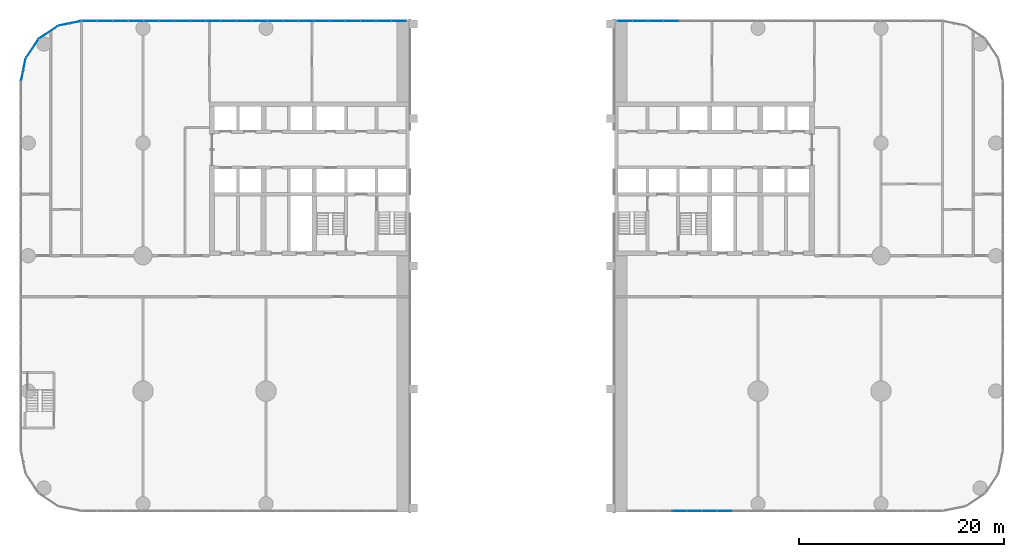
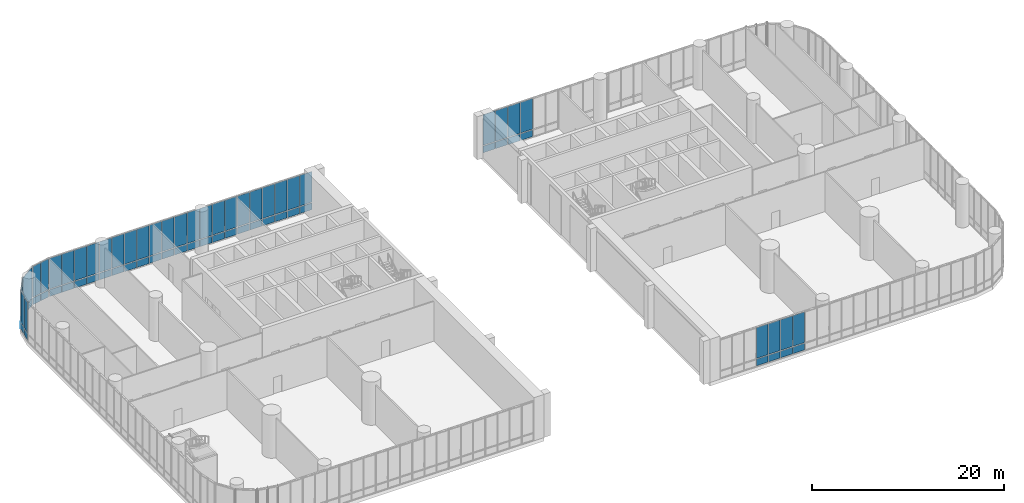
# One storey, part 18 of 28: 70 plates, 7 elements without a shape of their own.
"""IFC4 building model written with IfcOpenShell, lengths in metres."""

from ifc_helpers import new_model, si_unit, direction, frame, origin, origin_2d, place, context, subcontext, project, spatial, rectangle, extrude, material, layer, layer_set, type_object, element, aggregate, save


model = new_model("IFC4")

# Units and contexts
model_context = context("Model", 3, precision=1e-05, world=origin(), true_north=direction((0.0, 1.0)))
body_context = subcontext(model_context, "Body", "Model", "MODEL_VIEW")
ifc_project = project(units=[si_unit("LENGTHUNIT", "METRE"), si_unit("AREAUNIT", "SQUARE_METRE"), si_unit("VOLUMEUNIT", "CUBIC_METRE"), si_unit("PLANEANGLEUNIT", "RADIAN"), si_unit("MASSUNIT", "GRAM", prefix="KILO")], contexts=[model_context])

# Site, building, storey
site_placement = place(None, origin())
site = spatial("IfcSite", under=ifc_project, at=site_placement, CompositionType="ELEMENT")
building_placement = place(site_placement, origin())
building = spatial("IfcBuilding", under=site, at=building_placement, Name="Torana Hotel and Residences", CompositionType="ELEMENT")
storey_placement = place(building_placement, frame((0.0, 0.0, 7.0)))
storey = spatial("IfcBuildingStorey", under=building, at=storey_placement, Name="L01", CompositionType="ELEMENT", Elevation=7.0)

# Curtain wall, plates
ifc_material_1 = material(Name="Dark anodised aluminium", Category="aluminium")
ifc_layer_1 = layer(ifc_material_1, 0.14990234375)
ifc_layer_set_1 = layer_set([ifc_layer_1], Name="CW5 PODIUM UPPER UNITISED CURTAIN WALL")
curtain_wall_type = type_object("IfcCurtainWallType", Name="CW5 PODIUM UPPER UNITISED CURTAIN WALL", PredefinedType="NOTDEFINED", material=ifc_layer_set_1)
curtain_wall_1_placement = place(storey_placement, origin())
curtain_wall_1 = element("IfcCurtainWall", 1, at=curtain_wall_1_placement, inside=storey, type_object=curtain_wall_type, Name="Curtain wall CW5 L01 e0.2", PredefinedType="NOTDEFINED")
ifc_material_2 = material(Name="Glass clear low-iron laminated double glazed unit", Category="glass")
ifc_layer_2 = layer(ifc_material_2, 0.035888671875)
ifc_layer_set_2 = layer_set([ifc_layer_2], Name="CW5 DARK GLASS PANEL 36")
plate_type = type_object("IfcPlateType", Name="CW5 DARK GLASS PANEL 36", PredefinedType="CURTAIN_PANEL", material=ifc_layer_set_2)
plate_1_placement = place(storey_placement, frame((-11.020263671875, 7.89990234375, 0.099853515625), z_axis=(0.0, 0.0, 1.0), x_axis=(-1.0, 0.0, 0.0)))
plate_1 = element("IfcPlate", 2, at=plate_1_placement, type_object=plate_type, Name="CW5 panel 1.1", PredefinedType="CURTAIN_PANEL", context=body_context, shape_type="SweptSolid", body=[
    extrude(rectangle(XDim=1.420654296875, YDim=0.035888671875, at=origin_2d()), origin(), (0.0, 0.0, 1.0), 0.85009765625),
])
plate_2_placement = place(storey_placement, frame((-11.020263671875, 7.89990234375, 1.050048828125), z_axis=(0.0, 0.0, 1.0), x_axis=(-1.0, 0.0, 0.0)))
plate_2 = element("IfcPlate", 3, at=plate_2_placement, type_object=plate_type, Name="CW5 panel 1.2", PredefinedType="CURTAIN_PANEL", context=body_context, shape_type="SweptSolid", body=[
    extrude(rectangle(XDim=1.420654296875, YDim=0.035888671875, at=origin_2d()), origin(), (0.0, 0.0, 1.0), 3.89990234375),
])
plate_3_placement = place(storey_placement, frame((-12.51611328125, 7.89990234375, 0.099853515625), z_axis=(0.0, 0.0, 1.0), x_axis=(-1.0, 0.0, 0.0)))
plate_3 = element("IfcPlate", 4, at=plate_3_placement, type_object=plate_type, Name="CW5 panel 2.1", PredefinedType="CURTAIN_PANEL", context=body_context, shape_type="SweptSolid", body=[
    extrude(rectangle(XDim=1.45068359375, YDim=0.035888671875, at=origin_2d()), origin(), (0.0, 0.0, 1.0), 0.85009765625),
])
plate_4_placement = place(storey_placement, frame((-12.51611328125, 7.89990234375, 1.050048828125), z_axis=(0.0, 0.0, 1.0), x_axis=(-1.0, 0.0, 0.0)))
plate_4 = element("IfcPlate", 5, at=plate_4_placement, type_object=plate_type, Name="CW5 panel 2.2", PredefinedType="CURTAIN_PANEL", context=body_context, shape_type="SweptSolid", body=[
    extrude(rectangle(XDim=1.45068359375, YDim=0.035888671875, at=origin_2d()), origin(), (0.0, 0.0, 1.0), 3.89990234375),
])
plate_5_placement = place(storey_placement, frame((-14.02685546875, 7.89990234375, 0.099853515625), z_axis=(0.0, 0.0, 1.0), x_axis=(-1.0, 0.0, 0.0)))
plate_5 = element("IfcPlate", 6, at=plate_5_placement, type_object=plate_type, Name="CW5 panel 3.1", PredefinedType="CURTAIN_PANEL", context=body_context, shape_type="SweptSolid", body=[
    extrude(rectangle(XDim=1.45068359375, YDim=0.035888671875, at=origin_2d()), origin(), (0.0, 0.0, 1.0), 0.85009765625),
])
plate_6_placement = place(storey_placement, frame((-14.02685546875, 7.89990234375, 1.050048828125), z_axis=(0.0, 0.0, 1.0), x_axis=(-1.0, 0.0, 0.0)))
plate_6 = element("IfcPlate", 7, at=plate_6_placement, type_object=plate_type, Name="CW5 panel 3.2", PredefinedType="CURTAIN_PANEL", context=body_context, shape_type="SweptSolid", body=[
    extrude(rectangle(XDim=1.45068359375, YDim=0.035888671875, at=origin_2d()), origin(), (0.0, 0.0, 1.0), 3.89990234375),
])
plate_7_placement = place(storey_placement, frame((-15.53759765625, 7.89990234375, 0.099853515625), z_axis=(0.0, 0.0, 1.0), x_axis=(-1.0, 0.0, 0.0)))
plate_7 = element("IfcPlate", 8, at=plate_7_placement, type_object=plate_type, Name="CW5 panel 4.1", PredefinedType="CURTAIN_PANEL", context=body_context, shape_type="SweptSolid", body=[
    extrude(rectangle(XDim=1.45068359375, YDim=0.035888671875, at=origin_2d()), origin(), (0.0, 0.0, 1.0), 0.85009765625),
])
plate_8_placement = place(storey_placement, frame((-15.53759765625, 7.89990234375, 1.050048828125), z_axis=(0.0, 0.0, 1.0), x_axis=(-1.0, 0.0, 0.0)))
plate_8 = element("IfcPlate", 9, at=plate_8_placement, type_object=plate_type, Name="CW5 panel 4.2", PredefinedType="CURTAIN_PANEL", context=body_context, shape_type="SweptSolid", body=[
    extrude(rectangle(XDim=1.45068359375, YDim=0.035888671875, at=origin_2d()), origin(), (0.0, 0.0, 1.0), 3.89990234375),
])
plate_9_placement = place(storey_placement, frame((-17.04833984375, 7.89990234375, 0.099853515625), z_axis=(0.0, 0.0, 1.0), x_axis=(-1.0, 0.0, 0.0)))
plate_9 = element("IfcPlate", 10, at=plate_9_placement, type_object=plate_type, Name="CW5 panel 5.1", PredefinedType="CURTAIN_PANEL", context=body_context, shape_type="SweptSolid", body=[
    extrude(rectangle(XDim=1.45068359375, YDim=0.035888671875, at=origin_2d()), origin(), (0.0, 0.0, 1.0), 0.85009765625),
])
plate_10_placement = place(storey_placement, frame((-17.04833984375, 7.89990234375, 1.050048828125), z_axis=(0.0, 0.0, 1.0), x_axis=(-1.0, 0.0, 0.0)))
plate_10 = element("IfcPlate", 11, at=plate_10_placement, type_object=plate_type, Name="CW5 panel 5.2", PredefinedType="CURTAIN_PANEL", context=body_context, shape_type="SweptSolid", body=[
    extrude(rectangle(XDim=1.45068359375, YDim=0.035888671875, at=origin_2d()), origin(), (0.0, 0.0, 1.0), 3.89990234375),
])
plate_11_placement = place(storey_placement, frame((-18.55908203125, 7.89990234375, 0.099853515625), z_axis=(0.0, 0.0, 1.0), x_axis=(-1.0, 0.0, 0.0)))
plate_11 = element("IfcPlate", 12, at=plate_11_placement, type_object=plate_type, Name="CW5 panel 6.1", PredefinedType="CURTAIN_PANEL", context=body_context, shape_type="SweptSolid", body=[
    extrude(rectangle(XDim=1.45068359375, YDim=0.035888671875, at=origin_2d()), origin(), (0.0, 0.0, 1.0), 0.85009765625),
])
plate_12_placement = place(storey_placement, frame((-18.55908203125, 7.89990234375, 1.050048828125), z_axis=(0.0, 0.0, 1.0), x_axis=(-1.0, 0.0, 0.0)))
plate_12 = element("IfcPlate", 13, at=plate_12_placement, type_object=plate_type, Name="CW5 panel 6.2", PredefinedType="CURTAIN_PANEL", context=body_context, shape_type="SweptSolid", body=[
    extrude(rectangle(XDim=1.45068359375, YDim=0.035888671875, at=origin_2d()), origin(), (0.0, 0.0, 1.0), 3.89990234375),
])
plate_13_placement = place(storey_placement, frame((-20.06982421875, 7.89990234375, 0.099853515625), z_axis=(0.0, 0.0, 1.0), x_axis=(-1.0, 0.0, 0.0)))
plate_13 = element("IfcPlate", 14, at=plate_13_placement, type_object=plate_type, Name="CW5 panel 7.1", PredefinedType="CURTAIN_PANEL", context=body_context, shape_type="SweptSolid", body=[
    extrude(rectangle(XDim=1.45068359375, YDim=0.035888671875, at=origin_2d()), origin(), (0.0, 0.0, 1.0), 0.85009765625),
])
plate_14_placement = place(storey_placement, frame((-20.06982421875, 7.89990234375, 1.050048828125), z_axis=(0.0, 0.0, 1.0), x_axis=(-1.0, 0.0, 0.0)))
plate_14 = element("IfcPlate", 15, at=plate_14_placement, type_object=plate_type, Name="CW5 panel 7.2", PredefinedType="CURTAIN_PANEL", context=body_context, shape_type="SweptSolid", body=[
    extrude(rectangle(XDim=1.45068359375, YDim=0.035888671875, at=origin_2d()), origin(), (0.0, 0.0, 1.0), 3.89990234375),
])
plate_15_placement = place(storey_placement, frame((-21.58056640625, 7.89990234375, 0.099853515625), z_axis=(0.0, 0.0, 1.0), x_axis=(-1.0, 0.0, 0.0)))
plate_15 = element("IfcPlate", 16, at=plate_15_placement, type_object=plate_type, Name="CW5 panel 8.1", PredefinedType="CURTAIN_PANEL", context=body_context, shape_type="SweptSolid", body=[
    extrude(rectangle(XDim=1.45068359375, YDim=0.035888671875, at=origin_2d()), origin(), (0.0, 0.0, 1.0), 0.85009765625),
])
plate_16_placement = place(storey_placement, frame((-21.58056640625, 7.89990234375, 1.050048828125), z_axis=(0.0, 0.0, 1.0), x_axis=(-1.0, 0.0, 0.0)))
plate_16 = element("IfcPlate", 17, at=plate_16_placement, type_object=plate_type, Name="CW5 panel 8.2", PredefinedType="CURTAIN_PANEL", context=body_context, shape_type="SweptSolid", body=[
    extrude(rectangle(XDim=1.45068359375, YDim=0.035888671875, at=origin_2d()), origin(), (0.0, 0.0, 1.0), 3.89990234375),
])
plate_17_placement = place(storey_placement, frame((-23.09130859375, 7.89990234375, 0.099853515625), z_axis=(0.0, 0.0, 1.0), x_axis=(-1.0, 0.0, 0.0)))
plate_17 = element("IfcPlate", 18, at=plate_17_placement, type_object=plate_type, Name="CW5 panel 9.1", PredefinedType="CURTAIN_PANEL", context=body_context, shape_type="SweptSolid", body=[
    extrude(rectangle(XDim=1.45068359375, YDim=0.035888671875, at=origin_2d()), origin(), (0.0, 0.0, 1.0), 0.85009765625),
])
plate_18_placement = place(storey_placement, frame((-23.09130859375, 7.89990234375, 1.050048828125), z_axis=(0.0, 0.0, 1.0), x_axis=(-1.0, 0.0, 0.0)))
plate_18 = element("IfcPlate", 19, at=plate_18_placement, type_object=plate_type, Name="CW5 panel 9.2", PredefinedType="CURTAIN_PANEL", context=body_context, shape_type="SweptSolid", body=[
    extrude(rectangle(XDim=1.45068359375, YDim=0.035888671875, at=origin_2d()), origin(), (0.0, 0.0, 1.0), 3.89990234375),
])
plate_19_placement = place(storey_placement, frame((-24.60205078125, 7.89990234375, 0.099853515625), z_axis=(0.0, 0.0, 1.0), x_axis=(-1.0, 0.0, 0.0)))
plate_19 = element("IfcPlate", 20, at=plate_19_placement, type_object=plate_type, Name="CW5 panel 10.1", PredefinedType="CURTAIN_PANEL", context=body_context, shape_type="SweptSolid", body=[
    extrude(rectangle(XDim=1.45068359375, YDim=0.035888671875, at=origin_2d()), origin(), (0.0, 0.0, 1.0), 0.85009765625),
])
plate_20_placement = place(storey_placement, frame((-24.60205078125, 7.89990234375, 1.050048828125), z_axis=(0.0, 0.0, 1.0), x_axis=(-1.0, 0.0, 0.0)))
plate_20 = element("IfcPlate", 21, at=plate_20_placement, type_object=plate_type, Name="CW5 panel 10.2", PredefinedType="CURTAIN_PANEL", context=body_context, shape_type="SweptSolid", body=[
    extrude(rectangle(XDim=1.45068359375, YDim=0.035888671875, at=origin_2d()), origin(), (0.0, 0.0, 1.0), 3.89990234375),
])
plate_21_placement = place(storey_placement, frame((-26.11279296875, 7.89990234375, 0.099853515625), z_axis=(0.0, 0.0, 1.0), x_axis=(-1.0, 0.0, 0.0)))
plate_21 = element("IfcPlate", 22, at=plate_21_placement, type_object=plate_type, Name="CW5 panel 11.1", PredefinedType="CURTAIN_PANEL", context=body_context, shape_type="SweptSolid", body=[
    extrude(rectangle(XDim=1.45068359375, YDim=0.035888671875, at=origin_2d()), origin(), (0.0, 0.0, 1.0), 0.85009765625),
])
plate_22_placement = place(storey_placement, frame((-26.11279296875, 7.89990234375, 1.050048828125), z_axis=(0.0, 0.0, 1.0), x_axis=(-1.0, 0.0, 0.0)))
plate_22 = element("IfcPlate", 23, at=plate_22_placement, type_object=plate_type, Name="CW5 panel 11.2", PredefinedType="CURTAIN_PANEL", context=body_context, shape_type="SweptSolid", body=[
    extrude(rectangle(XDim=1.45068359375, YDim=0.035888671875, at=origin_2d()), origin(), (0.0, 0.0, 1.0), 3.89990234375),
])
plate_23_placement = place(storey_placement, frame((-27.62353515625, 7.89990234375, 0.099853515625), z_axis=(0.0, 0.0, 1.0), x_axis=(-1.0, 0.0, 0.0)))
plate_23 = element("IfcPlate", 24, at=plate_23_placement, type_object=plate_type, Name="CW5 panel 12.1", PredefinedType="CURTAIN_PANEL", context=body_context, shape_type="SweptSolid", body=[
    extrude(rectangle(XDim=1.45068359375, YDim=0.035888671875, at=origin_2d()), origin(), (0.0, 0.0, 1.0), 0.85009765625),
])
plate_24_placement = place(storey_placement, frame((-27.62353515625, 7.89990234375, 1.050048828125), z_axis=(0.0, 0.0, 1.0), x_axis=(-1.0, 0.0, 0.0)))
plate_24 = element("IfcPlate", 25, at=plate_24_placement, type_object=plate_type, Name="CW5 panel 12.2", PredefinedType="CURTAIN_PANEL", context=body_context, shape_type="SweptSolid", body=[
    extrude(rectangle(XDim=1.45068359375, YDim=0.035888671875, at=origin_2d()), origin(), (0.0, 0.0, 1.0), 3.89990234375),
])
plate_25_placement = place(storey_placement, frame((-29.13427734375, 7.89990234375, 0.099853515625), z_axis=(0.0, 0.0, 1.0), x_axis=(-1.0, 0.0, 0.0)))
plate_25 = element("IfcPlate", 26, at=plate_25_placement, type_object=plate_type, Name="CW5 panel 13.1", PredefinedType="CURTAIN_PANEL", context=body_context, shape_type="SweptSolid", body=[
    extrude(rectangle(XDim=1.45068359375, YDim=0.035888671875, at=origin_2d()), origin(), (0.0, 0.0, 1.0), 0.85009765625),
])
plate_26_placement = place(storey_placement, frame((-29.13427734375, 7.89990234375, 1.050048828125), z_axis=(0.0, 0.0, 1.0), x_axis=(-1.0, 0.0, 0.0)))
plate_26 = element("IfcPlate", 27, at=plate_26_placement, type_object=plate_type, Name="CW5 panel 13.2", PredefinedType="CURTAIN_PANEL", context=body_context, shape_type="SweptSolid", body=[
    extrude(rectangle(XDim=1.45068359375, YDim=0.035888671875, at=origin_2d()), origin(), (0.0, 0.0, 1.0), 3.89990234375),
])
plate_27_placement = place(storey_placement, frame((-30.64501953125, 7.89990234375, 0.099853515625), z_axis=(0.0, 0.0, 1.0), x_axis=(-1.0, 0.0, 0.0)))
plate_27 = element("IfcPlate", 28, at=plate_27_placement, type_object=plate_type, Name="CW5 panel 14.1", PredefinedType="CURTAIN_PANEL", context=body_context, shape_type="SweptSolid", body=[
    extrude(rectangle(XDim=1.45068359375, YDim=0.035888671875, at=origin_2d()), origin(), (0.0, 0.0, 1.0), 0.85009765625),
])
plate_28_placement = place(storey_placement, frame((-30.64501953125, 7.89990234375, 1.050048828125), z_axis=(0.0, 0.0, 1.0), x_axis=(-1.0, 0.0, 0.0)))
plate_28 = element("IfcPlate", 29, at=plate_28_placement, type_object=plate_type, Name="CW5 panel 14.2", PredefinedType="CURTAIN_PANEL", context=body_context, shape_type="SweptSolid", body=[
    extrude(rectangle(XDim=1.45068359375, YDim=0.035888671875, at=origin_2d()), origin(), (0.0, 0.0, 1.0), 3.89990234375),
])
plate_29_placement = place(storey_placement, frame((-32.155517578125, 7.89990234375, 0.099853515625), z_axis=(0.0, 0.0, 1.0), x_axis=(-1.0, 0.0, 0.0)))
plate_29 = element("IfcPlate", 30, at=plate_29_placement, type_object=plate_type, Name="CW5 panel 15.1", PredefinedType="CURTAIN_PANEL", context=body_context, shape_type="SweptSolid", body=[
    extrude(rectangle(XDim=1.45068359375, YDim=0.035888671875, at=origin_2d()), origin(), (0.0, 0.0, 1.0), 0.85009765625),
])
plate_30_placement = place(storey_placement, frame((-32.155517578125, 7.89990234375, 1.050048828125), z_axis=(0.0, 0.0, 1.0), x_axis=(-1.0, 0.0, 0.0)))
plate_30 = element("IfcPlate", 31, at=plate_30_placement, type_object=plate_type, Name="CW5 panel 15.2", PredefinedType="CURTAIN_PANEL", context=body_context, shape_type="SweptSolid", body=[
    extrude(rectangle(XDim=1.45068359375, YDim=0.035888671875, at=origin_2d()), origin(), (0.0, 0.0, 1.0), 3.89990234375),
])
plate_31_placement = place(storey_placement, frame((-33.666259765625, 7.89990234375, 0.099853515625), z_axis=(0.0, 0.0, 1.0), x_axis=(-1.0, 0.0, 0.0)))
plate_31 = element("IfcPlate", 32, at=plate_31_placement, type_object=plate_type, Name="CW5 panel 16.1", PredefinedType="CURTAIN_PANEL", context=body_context, shape_type="SweptSolid", body=[
    extrude(rectangle(XDim=1.45068359375, YDim=0.035888671875, at=origin_2d()), origin(), (0.0, 0.0, 1.0), 0.85009765625),
])
plate_32_placement = place(storey_placement, frame((-33.666259765625, 7.89990234375, 1.050048828125), z_axis=(0.0, 0.0, 1.0), x_axis=(-1.0, 0.0, 0.0)))
plate_32 = element("IfcPlate", 33, at=plate_32_placement, type_object=plate_type, Name="CW5 panel 16.2", PredefinedType="CURTAIN_PANEL", context=body_context, shape_type="SweptSolid", body=[
    extrude(rectangle(XDim=1.45068359375, YDim=0.035888671875, at=origin_2d()), origin(), (0.0, 0.0, 1.0), 3.89990234375),
])
plate_33_placement = place(storey_placement, frame((-35.177001953125, 7.89990234375, 0.099853515625), z_axis=(0.0, 0.0, 1.0), x_axis=(-1.0, 0.0, 0.0)))
plate_33 = element("IfcPlate", 34, at=plate_33_placement, type_object=plate_type, Name="CW5 panel 17.1", PredefinedType="CURTAIN_PANEL", context=body_context, shape_type="SweptSolid", body=[
    extrude(rectangle(XDim=1.45068359375, YDim=0.035888671875, at=origin_2d()), origin(), (0.0, 0.0, 1.0), 0.85009765625),
])
plate_34_placement = place(storey_placement, frame((-35.177001953125, 7.89990234375, 1.050048828125), z_axis=(0.0, 0.0, 1.0), x_axis=(-1.0, 0.0, 0.0)))
plate_34 = element("IfcPlate", 35, at=plate_34_placement, type_object=plate_type, Name="CW5 panel 17.2", PredefinedType="CURTAIN_PANEL", context=body_context, shape_type="SweptSolid", body=[
    extrude(rectangle(XDim=1.45068359375, YDim=0.035888671875, at=origin_2d()), origin(), (0.0, 0.0, 1.0), 3.89990234375),
])
plate_35_placement = place(storey_placement, frame((-36.687744140625, 7.89990234375, 0.099853515625), z_axis=(0.0, 0.0, 1.0), x_axis=(-1.0, 0.0, 0.0)))
plate_35 = element("IfcPlate", 36, at=plate_35_placement, type_object=plate_type, Name="CW5 panel 18.1", PredefinedType="CURTAIN_PANEL", context=body_context, shape_type="SweptSolid", body=[
    extrude(rectangle(XDim=1.45068359375, YDim=0.035888671875, at=origin_2d()), origin(), (0.0, 0.0, 1.0), 0.85009765625),
])
plate_36_placement = place(storey_placement, frame((-36.687744140625, 7.89990234375, 1.050048828125), z_axis=(0.0, 0.0, 1.0), x_axis=(-1.0, 0.0, 0.0)))
plate_36 = element("IfcPlate", 37, at=plate_36_placement, type_object=plate_type, Name="CW5 panel 18.2", PredefinedType="CURTAIN_PANEL", context=body_context, shape_type="SweptSolid", body=[
    extrude(rectangle(XDim=1.45068359375, YDim=0.035888671875, at=origin_2d()), origin(), (0.0, 0.0, 1.0), 3.89990234375),
])
plate_37_placement = place(storey_placement, frame((-38.198486328125, 7.89990234375, 0.099853515625), z_axis=(0.0, 0.0, 1.0), x_axis=(-1.0, 0.0, 0.0)))
plate_37 = element("IfcPlate", 38, at=plate_37_placement, type_object=plate_type, Name="CW5 panel 19.1", PredefinedType="CURTAIN_PANEL", context=body_context, shape_type="SweptSolid", body=[
    extrude(rectangle(XDim=1.45068359375, YDim=0.035888671875, at=origin_2d()), origin(), (0.0, 0.0, 1.0), 0.85009765625),
])
plate_38_placement = place(storey_placement, frame((-38.198486328125, 7.89990234375, 1.050048828125), z_axis=(0.0, 0.0, 1.0), x_axis=(-1.0, 0.0, 0.0)))
plate_38 = element("IfcPlate", 39, at=plate_38_placement, type_object=plate_type, Name="CW5 panel 19.2", PredefinedType="CURTAIN_PANEL", context=body_context, shape_type="SweptSolid", body=[
    extrude(rectangle(XDim=1.45068359375, YDim=0.035888671875, at=origin_2d()), origin(), (0.0, 0.0, 1.0), 3.89990234375),
])
plate_39_placement = place(storey_placement, frame((-39.709228515625, 7.89990234375, 0.099853515625), z_axis=(0.0, 0.0, 1.0), x_axis=(-1.0, 0.0, 0.0)))
plate_39 = element("IfcPlate", 40, at=plate_39_placement, type_object=plate_type, Name="CW5 panel 20.1", PredefinedType="CURTAIN_PANEL", context=body_context, shape_type="SweptSolid", body=[
    extrude(rectangle(XDim=1.45068359375, YDim=0.035888671875, at=origin_2d()), origin(), (0.0, 0.0, 1.0), 0.85009765625),
])
plate_40_placement = place(storey_placement, frame((-39.709228515625, 7.89990234375, 1.050048828125), z_axis=(0.0, 0.0, 1.0), x_axis=(-1.0, 0.0, 0.0)))
plate_40 = element("IfcPlate", 41, at=plate_40_placement, type_object=plate_type, Name="CW5 panel 20.2", PredefinedType="CURTAIN_PANEL", context=body_context, shape_type="SweptSolid", body=[
    extrude(rectangle(XDim=1.45068359375, YDim=0.035888671875, at=origin_2d()), origin(), (0.0, 0.0, 1.0), 3.89990234375),
])
plate_41_placement = place(storey_placement, frame((-41.205078125, 7.89990234375, 0.099853515625), z_axis=(0.0, 0.0, 1.0), x_axis=(-1.0, 0.0, 0.0)))
plate_41 = element("IfcPlate", 42, at=plate_41_placement, type_object=plate_type, Name="CW5 panel 21.1", PredefinedType="CURTAIN_PANEL", context=body_context, shape_type="SweptSolid", body=[
    extrude(rectangle(XDim=1.420654296875, YDim=0.035888671875, at=origin_2d()), origin(), (0.0, 0.0, 1.0), 0.85009765625),
])
plate_42_placement = place(storey_placement, frame((-41.205078125, 7.89990234375, 1.050048828125), z_axis=(0.0, 0.0, 1.0), x_axis=(-1.0, 0.0, 0.0)))
plate_42 = element("IfcPlate", 43, at=plate_42_placement, type_object=plate_type, Name="CW5 panel 21.2", PredefinedType="CURTAIN_PANEL", context=body_context, shape_type="SweptSolid", body=[
    extrude(rectangle(XDim=1.420654296875, YDim=0.035888671875, at=origin_2d()), origin(), (0.0, 0.0, 1.0), 3.89990234375),
])
aggregate(curtain_wall_1, [plate_1, plate_2, plate_3, plate_4, plate_5, plate_6, plate_7, plate_8, plate_9, plate_10, plate_11, plate_12, plate_13, plate_14, plate_15, plate_16, plate_17, plate_18, plate_19, plate_20, plate_21, plate_22, plate_23, plate_24, plate_25, plate_26, plate_27, plate_28, plate_29, plate_30, plate_31, plate_32, plate_33, plate_34, plate_35, plate_36, plate_37, plate_38, plate_39, plate_40, plate_41, plate_42])

curtain_wall_2_placement = place(storey_placement, origin())
curtain_wall_2 = element("IfcCurtainWall", 44, at=curtain_wall_2_placement, inside=storey, type_object=curtain_wall_type, Name="Curtain wall CW5 L01 e0.3", PredefinedType="NOTDEFINED")
plate_43_placement = place(storey_placement, frame((-42.5751953125, 7.78369140625, 0.099853515625), z_axis=(0.0, 0.0, 1.0), x_axis=(-0.980787135335, -0.195080996415, 0.0)))
plate_43 = element("IfcPlate", 45, at=plate_43_placement, type_object=plate_type, Name="CW5 panel 1.1", PredefinedType="CURTAIN_PANEL", context=body_context, shape_type="SweptSolid", body=[
    extrude(rectangle(XDim=1.04345703125, YDim=0.035888671875, at=origin_2d()), origin(), (0.0, 0.0, 1.0), 0.85009765625),
])
plate_44_placement = place(storey_placement, frame((-42.5751953125, 7.78369140625, 1.050048828125), z_axis=(0.0, 0.0, 1.0), x_axis=(-0.980787135335, -0.195080996415, 0.0)))
plate_44 = element("IfcPlate", 46, at=plate_44_placement, type_object=plate_type, Name="CW5 panel 1.2", PredefinedType="CURTAIN_PANEL", context=body_context, shape_type="SweptSolid", body=[
    extrude(rectangle(XDim=1.04345703125, YDim=0.035888671875, at=origin_2d()), origin(), (0.0, 0.0, 1.0), 3.89990234375),
])
plate_45_placement = place(storey_placement, frame((-43.6572265625, 7.568359375, 0.099853515625), z_axis=(0.0, 0.0, 1.0), x_axis=(-0.980787135335, -0.195080996415, 0.0)))
plate_45 = element("IfcPlate", 47, at=plate_45_placement, type_object=plate_type, Name="CW5 panel 2.1", PredefinedType="CURTAIN_PANEL", context=body_context, shape_type="SweptSolid", body=[
    extrude(rectangle(XDim=1.04345703125, YDim=0.035888671875, at=origin_2d()), origin(), (0.0, 0.0, 1.0), 0.85009765625),
])
plate_46_placement = place(storey_placement, frame((-43.6572265625, 7.568359375, 1.050048828125), z_axis=(0.0, 0.0, 1.0), x_axis=(-0.980787135335, -0.195080996415, 0.0)))
plate_46 = element("IfcPlate", 48, at=plate_46_placement, type_object=plate_type, Name="CW5 panel 2.2", PredefinedType="CURTAIN_PANEL", context=body_context, shape_type="SweptSolid", body=[
    extrude(rectangle(XDim=1.04345703125, YDim=0.035888671875, at=origin_2d()), origin(), (0.0, 0.0, 1.0), 3.89990234375),
])
aggregate(curtain_wall_2, [plate_43, plate_44, plate_45, plate_46])

curtain_wall_3_placement = place(storey_placement, origin())
curtain_wall_3 = element("IfcCurtainWall", 49, at=curtain_wall_3_placement, inside=storey, type_object=curtain_wall_type, Name="Curtain wall CW5 L01 e0.4", PredefinedType="NOTDEFINED")
plate_47_placement = place(storey_placement, frame((-45.2138671875, 6.809814453125, 0.099853515625), z_axis=(0.0, 0.0, 1.0), x_axis=(-0.831459585616, -0.555585238723, 0.0)))
plate_47 = element("IfcPlate", 50, at=plate_47_placement, type_object=plate_type, Name="CW5 panel 1.1", PredefinedType="CURTAIN_PANEL", context=body_context, shape_type="SweptSolid", body=[
    extrude(rectangle(XDim=2.12158203125, YDim=0.035888671875, at=origin_2d()), origin(), (0.0, 0.0, 1.0), 0.85009765625),
])
plate_48_placement = place(storey_placement, frame((-45.2138671875, 6.809814453125, 1.050048828125), z_axis=(0.0, 0.0, 1.0), x_axis=(-0.831459585616, -0.555585238723, 0.0)))
plate_48 = element("IfcPlate", 51, at=plate_48_placement, type_object=plate_type, Name="CW5 panel 1.2", PredefinedType="CURTAIN_PANEL", context=body_context, shape_type="SweptSolid", body=[
    extrude(rectangle(XDim=2.12158203125, YDim=0.035888671875, at=origin_2d()), origin(), (0.0, 0.0, 1.0), 3.89990234375),
])
aggregate(curtain_wall_3, [plate_47, plate_48])

curtain_wall_4_placement = place(storey_placement, origin())
curtain_wall_4 = element("IfcCurtainWall", 52, at=curtain_wall_4_placement, inside=storey, type_object=curtain_wall_type, Name="Curtain wall CW5 L01 e0.5", PredefinedType="NOTDEFINED")
plate_49_placement = place(storey_placement, frame((-46.809814453125, 5.2138671875, 0.099853515625), z_axis=(0.0, 0.0, 1.0), x_axis=(-0.555585238723, -0.831459585616, 0.0)))
plate_49 = element("IfcPlate", 53, at=plate_49_placement, type_object=plate_type, Name="CW5 panel 1.1", PredefinedType="CURTAIN_PANEL", context=body_context, shape_type="SweptSolid", body=[
    extrude(rectangle(XDim=2.12158203125, YDim=0.035888671875, at=origin_2d()), origin(), (0.0, 0.0, 1.0), 0.85009765625),
])
plate_50_placement = place(storey_placement, frame((-46.809814453125, 5.2138671875, 1.050048828125), z_axis=(0.0, 0.0, 1.0), x_axis=(-0.555585238723, -0.831459585616, 0.0)))
plate_50 = element("IfcPlate", 54, at=plate_50_placement, type_object=plate_type, Name="CW5 panel 1.2", PredefinedType="CURTAIN_PANEL", context=body_context, shape_type="SweptSolid", body=[
    extrude(rectangle(XDim=2.12158203125, YDim=0.035888671875, at=origin_2d()), origin(), (0.0, 0.0, 1.0), 3.89990234375),
])
aggregate(curtain_wall_4, [plate_49, plate_50])

curtain_wall_5_placement = place(storey_placement, origin())
curtain_wall_5 = element("IfcCurtainWall", 55, at=curtain_wall_5_placement, inside=storey, type_object=curtain_wall_type, Name="Curtain wall CW5 L01 e0.6", PredefinedType="NOTDEFINED")
plate_51_placement = place(storey_placement, frame((-47.568359375, 3.6572265625, 0.099853515625), z_axis=(0.0, 0.0, 1.0), x_axis=(-0.195080996415, -0.980787135335, 0.0)))
plate_51 = element("IfcPlate", 56, at=plate_51_placement, type_object=plate_type, Name="CW5 panel 1.1", PredefinedType="CURTAIN_PANEL", context=body_context, shape_type="SweptSolid", body=[
    extrude(rectangle(XDim=1.04345703125, YDim=0.035888671875, at=origin_2d()), origin(), (0.0, 0.0, 1.0), 0.85009765625),
])
plate_52_placement = place(storey_placement, frame((-47.568359375, 3.6572265625, 1.050048828125), z_axis=(0.0, 0.0, 1.0), x_axis=(-0.195080996415, -0.980787135335, 0.0)))
plate_52 = element("IfcPlate", 57, at=plate_52_placement, type_object=plate_type, Name="CW5 panel 1.2", PredefinedType="CURTAIN_PANEL", context=body_context, shape_type="SweptSolid", body=[
    extrude(rectangle(XDim=1.04345703125, YDim=0.035888671875, at=origin_2d()), origin(), (0.0, 0.0, 1.0), 3.89990234375),
])
plate_53_placement = place(storey_placement, frame((-47.78369140625, 2.5751953125, 0.099853515625), z_axis=(0.0, 0.0, 1.0), x_axis=(-0.195080996415, -0.980787135335, 0.0)))
plate_53 = element("IfcPlate", 58, at=plate_53_placement, type_object=plate_type, Name="CW5 panel 2.1", PredefinedType="CURTAIN_PANEL", context=body_context, shape_type="SweptSolid", body=[
    extrude(rectangle(XDim=1.04345703125, YDim=0.035888671875, at=origin_2d()), origin(), (0.0, 0.0, 1.0), 0.85009765625),
])
plate_54_placement = place(storey_placement, frame((-47.78369140625, 2.5751953125, 1.050048828125), z_axis=(0.0, 0.0, 1.0), x_axis=(-0.195080996415, -0.980787135335, 0.0)))
plate_54 = element("IfcPlate", 59, at=plate_54_placement, type_object=plate_type, Name="CW5 panel 2.2", PredefinedType="CURTAIN_PANEL", context=body_context, shape_type="SweptSolid", body=[
    extrude(rectangle(XDim=1.04345703125, YDim=0.035888671875, at=origin_2d()), origin(), (0.0, 0.0, 1.0), 3.89990234375),
])
aggregate(curtain_wall_5, [plate_51, plate_52, plate_53, plate_54])

curtain_wall_6_placement = place(storey_placement, origin())
curtain_wall_6 = element("IfcCurtainWall", 60, at=curtain_wall_6_placement, inside=storey, type_object=curtain_wall_type, Name="Curtain wall CW5 L01 e1.0", PredefinedType="NOTDEFINED")
plate_55_placement = place(storey_placement, frame((16.329345703125, -39.89990234375, 0.099853515625), z_axis=(0.0, 0.0, 1.0), x_axis=(1.0, 0.0, 0.0)))
plate_55 = element("IfcPlate", 61, at=plate_55_placement, type_object=plate_type, Name="CW5 panel 4.1", PredefinedType="CURTAIN_PANEL", context=body_context, shape_type="SweptSolid", body=[
    extrude(rectangle(XDim=1.405517578125, YDim=0.035888671875, at=origin_2d()), origin(), (0.0, 0.0, 1.0), 0.85009765625),
])
plate_56_placement = place(storey_placement, frame((16.329345703125, -39.89990234375, 1.050048828125), z_axis=(0.0, 0.0, 1.0), x_axis=(1.0, 0.0, 0.0)))
plate_56 = element("IfcPlate", 62, at=plate_56_placement, type_object=plate_type, Name="CW5 panel 4.2", PredefinedType="CURTAIN_PANEL", context=body_context, shape_type="SweptSolid", body=[
    extrude(rectangle(XDim=1.405517578125, YDim=0.035888671875, at=origin_2d()), origin(), (0.0, 0.0, 1.0), 3.89990234375),
])
plate_57_placement = place(storey_placement, frame((17.794677734375, -39.89990234375, 0.099853515625), z_axis=(0.0, 0.0, 1.0), x_axis=(1.0, 0.0, 0.0)))
plate_57 = element("IfcPlate", 63, at=plate_57_placement, type_object=plate_type, Name="CW5 panel 5.1", PredefinedType="CURTAIN_PANEL", context=body_context, shape_type="SweptSolid", body=[
    extrude(rectangle(XDim=1.405517578125, YDim=0.035888671875, at=origin_2d()), origin(), (0.0, 0.0, 1.0), 0.85009765625),
])
plate_58_placement = place(storey_placement, frame((17.794677734375, -39.89990234375, 1.050048828125), z_axis=(0.0, 0.0, 1.0), x_axis=(1.0, 0.0, 0.0)))
plate_58 = element("IfcPlate", 64, at=plate_58_placement, type_object=plate_type, Name="CW5 panel 5.2", PredefinedType="CURTAIN_PANEL", context=body_context, shape_type="SweptSolid", body=[
    extrude(rectangle(XDim=1.405517578125, YDim=0.035888671875, at=origin_2d()), origin(), (0.0, 0.0, 1.0), 3.89990234375),
])
plate_59_placement = place(storey_placement, frame((19.26025390625, -39.89990234375, 0.099853515625), z_axis=(0.0, 0.0, 1.0), x_axis=(1.0, 0.0, 0.0)))
plate_59 = element("IfcPlate", 65, at=plate_59_placement, type_object=plate_type, Name="CW5 panel 6.1", PredefinedType="CURTAIN_PANEL", context=body_context, shape_type="SweptSolid", body=[
    extrude(rectangle(XDim=1.405517578125, YDim=0.035888671875, at=origin_2d()), origin(), (0.0, 0.0, 1.0), 0.85009765625),
])
plate_60_placement = place(storey_placement, frame((19.26025390625, -39.89990234375, 1.050048828125), z_axis=(0.0, 0.0, 1.0), x_axis=(1.0, 0.0, 0.0)))
plate_60 = element("IfcPlate", 66, at=plate_60_placement, type_object=plate_type, Name="CW5 panel 6.2", PredefinedType="CURTAIN_PANEL", context=body_context, shape_type="SweptSolid", body=[
    extrude(rectangle(XDim=1.405517578125, YDim=0.035888671875, at=origin_2d()), origin(), (0.0, 0.0, 1.0), 3.89990234375),
])
plate_61_placement = place(storey_placement, frame((20.725830078125, -39.89990234375, 0.099853515625), z_axis=(0.0, 0.0, 1.0), x_axis=(1.0, 0.0, 0.0)))
plate_61 = element("IfcPlate", 67, at=plate_61_placement, type_object=plate_type, Name="CW5 panel 7.1", PredefinedType="CURTAIN_PANEL", context=body_context, shape_type="SweptSolid", body=[
    extrude(rectangle(XDim=1.405517578125, YDim=0.035888671875, at=origin_2d()), origin(), (0.0, 0.0, 1.0), 0.85009765625),
])
plate_62_placement = place(storey_placement, frame((20.725830078125, -39.89990234375, 1.050048828125), z_axis=(0.0, 0.0, 1.0), x_axis=(1.0, 0.0, 0.0)))
plate_62 = element("IfcPlate", 68, at=plate_62_placement, type_object=plate_type, Name="CW5 panel 7.2", PredefinedType="CURTAIN_PANEL", context=body_context, shape_type="SweptSolid", body=[
    extrude(rectangle(XDim=1.405517578125, YDim=0.035888671875, at=origin_2d()), origin(), (0.0, 0.0, 1.0), 3.89990234375),
])
aggregate(curtain_wall_6, [plate_55, plate_56, plate_57, plate_58, plate_59, plate_60, plate_61, plate_62])

curtain_wall_7_placement = place(storey_placement, origin())
curtain_wall_7 = element("IfcCurtainWall", 69, at=curtain_wall_7_placement, inside=storey, type_object=curtain_wall_type, Name="Curtain wall CW5 L01 e1.10", PredefinedType="NOTDEFINED")
plate_63_placement = place(storey_placement, frame((15.53759765625, 7.89990234375, 0.099853515625), z_axis=(0.0, 0.0, 1.0), x_axis=(-1.0, 0.0, 0.0)))
plate_63 = element("IfcPlate", 70, at=plate_63_placement, type_object=plate_type, Name="CW5 panel 18.1", PredefinedType="CURTAIN_PANEL", context=body_context, shape_type="SweptSolid", body=[
    extrude(rectangle(XDim=1.45068359375, YDim=0.035888671875, at=origin_2d()), origin(), (0.0, 0.0, 1.0), 0.85009765625),
])
plate_64_placement = place(storey_placement, frame((15.53759765625, 7.89990234375, 1.050048828125), z_axis=(0.0, 0.0, 1.0), x_axis=(-1.0, 0.0, 0.0)))
plate_64 = element("IfcPlate", 71, at=plate_64_placement, type_object=plate_type, Name="CW5 panel 18.2", PredefinedType="CURTAIN_PANEL", context=body_context, shape_type="SweptSolid", body=[
    extrude(rectangle(XDim=1.45068359375, YDim=0.035888671875, at=origin_2d()), origin(), (0.0, 0.0, 1.0), 3.89990234375),
])
plate_65_placement = place(storey_placement, frame((14.02685546875, 7.89990234375, 0.099853515625), z_axis=(0.0, 0.0, 1.0), x_axis=(-1.0, 0.0, 0.0)))
plate_65 = element("IfcPlate", 72, at=plate_65_placement, type_object=plate_type, Name="CW5 panel 19.1", PredefinedType="CURTAIN_PANEL", context=body_context, shape_type="SweptSolid", body=[
    extrude(rectangle(XDim=1.45068359375, YDim=0.035888671875, at=origin_2d()), origin(), (0.0, 0.0, 1.0), 0.85009765625),
])
plate_66_placement = place(storey_placement, frame((14.02685546875, 7.89990234375, 1.050048828125), z_axis=(0.0, 0.0, 1.0), x_axis=(-1.0, 0.0, 0.0)))
plate_66 = element("IfcPlate", 73, at=plate_66_placement, type_object=plate_type, Name="CW5 panel 19.2", PredefinedType="CURTAIN_PANEL", context=body_context, shape_type="SweptSolid", body=[
    extrude(rectangle(XDim=1.45068359375, YDim=0.035888671875, at=origin_2d()), origin(), (0.0, 0.0, 1.0), 3.89990234375),
])
plate_67_placement = place(storey_placement, frame((12.51611328125, 7.89990234375, 0.099853515625), z_axis=(0.0, 0.0, 1.0), x_axis=(-1.0, 0.0, 0.0)))
plate_67 = element("IfcPlate", 74, at=plate_67_placement, type_object=plate_type, Name="CW5 panel 20.1", PredefinedType="CURTAIN_PANEL", context=body_context, shape_type="SweptSolid", body=[
    extrude(rectangle(XDim=1.45068359375, YDim=0.035888671875, at=origin_2d()), origin(), (0.0, 0.0, 1.0), 0.85009765625),
])
plate_68_placement = place(storey_placement, frame((12.51611328125, 7.89990234375, 1.050048828125), z_axis=(0.0, 0.0, 1.0), x_axis=(-1.0, 0.0, 0.0)))
plate_68 = element("IfcPlate", 75, at=plate_68_placement, type_object=plate_type, Name="CW5 panel 20.2", PredefinedType="CURTAIN_PANEL", context=body_context, shape_type="SweptSolid", body=[
    extrude(rectangle(XDim=1.45068359375, YDim=0.035888671875, at=origin_2d()), origin(), (0.0, 0.0, 1.0), 3.89990234375),
])
plate_69_placement = place(storey_placement, frame((11.020263671875, 7.89990234375, 0.099853515625), z_axis=(0.0, 0.0, 1.0), x_axis=(-1.0, 0.0, 0.0)))
plate_69 = element("IfcPlate", 76, at=plate_69_placement, type_object=plate_type, Name="CW5 panel 21.1", PredefinedType="CURTAIN_PANEL", context=body_context, shape_type="SweptSolid", body=[
    extrude(rectangle(XDim=1.420654296875, YDim=0.035888671875, at=origin_2d()), origin(), (0.0, 0.0, 1.0), 0.85009765625),
])
plate_70_placement = place(storey_placement, frame((11.020263671875, 7.89990234375, 1.050048828125), z_axis=(0.0, 0.0, 1.0), x_axis=(-1.0, 0.0, 0.0)))
plate_70 = element("IfcPlate", 77, at=plate_70_placement, type_object=plate_type, Name="CW5 panel 21.2", PredefinedType="CURTAIN_PANEL", context=body_context, shape_type="SweptSolid", body=[
    extrude(rectangle(XDim=1.420654296875, YDim=0.035888671875, at=origin_2d()), origin(), (0.0, 0.0, 1.0), 3.89990234375),
])
aggregate(curtain_wall_7, [plate_63, plate_64, plate_65, plate_66, plate_67, plate_68, plate_69, plate_70])

save(model, "model.ifc")
